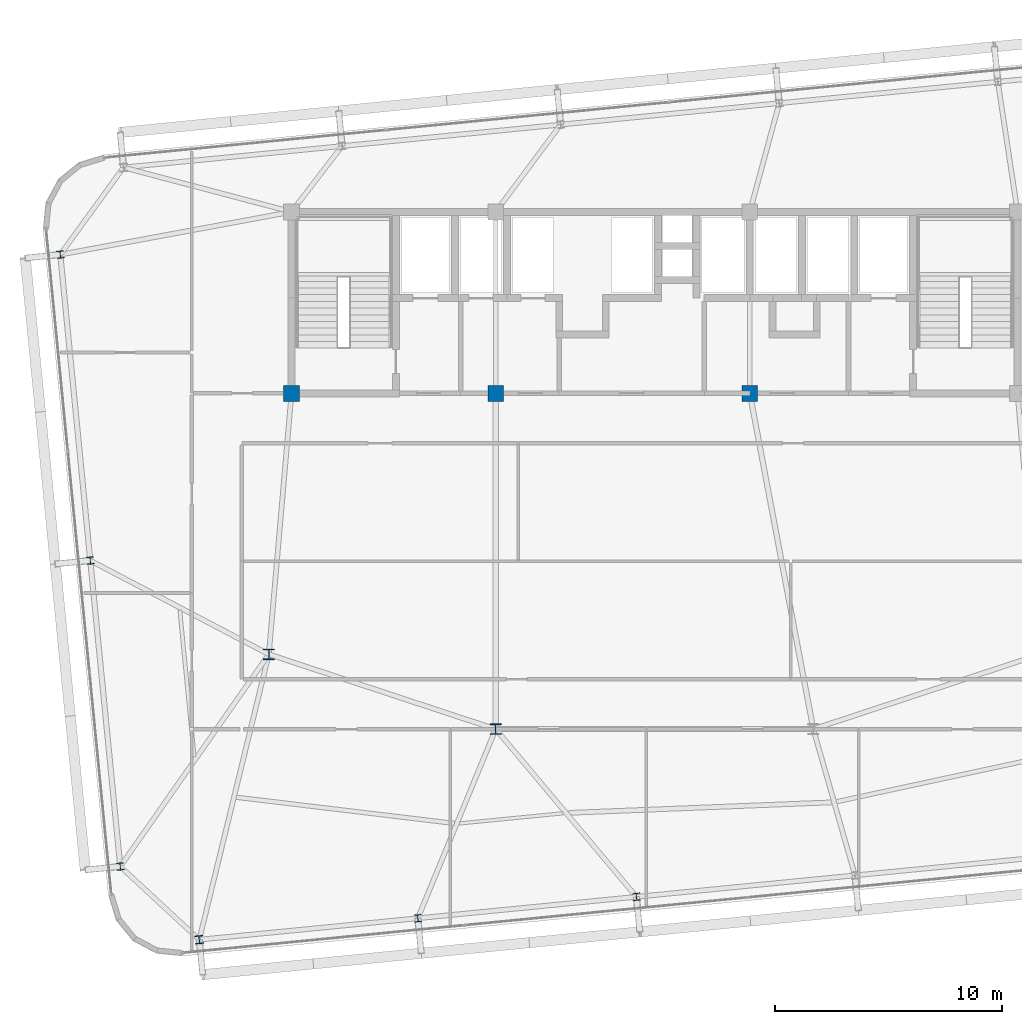
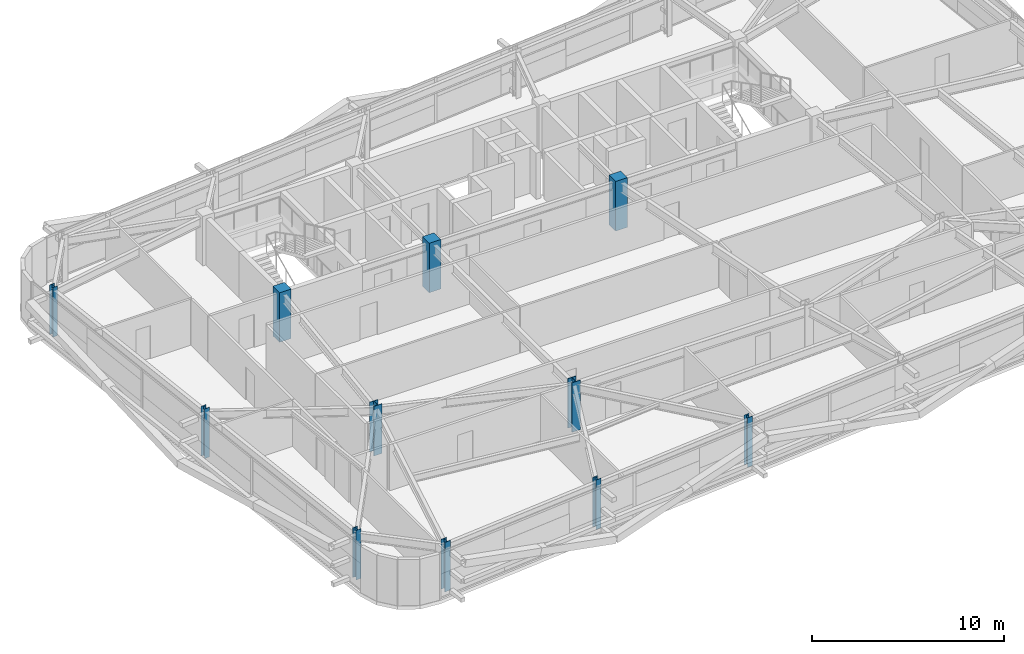
# One storey, part 1 of 47: 11 columns.
"""IFC4 building model written with IfcOpenShell, lengths in metres."""

import ifcopenshell
import ifcopenshell.guid

model = None  # the IFC model being written
_history = None  # IfcOwnerHistory: only IFC2X3 demands one
_inside = {}  # id of a spatial element -> (the spatial element, [elements in it])
_under = {}  # id of a project, library or spatial element -> (it, [spatial elements below it])
_declared = {}  # id of a project -> (the project, [libraries it declares])
_typed = {}  # id of a type object -> (the type object, [elements of that type])
_made_of = {}  # id of a material, layer set ... -> (it, [elements and type objects made of it])


def new_model(schema):
    """Start an empty IFC model of exactly this schema.

    Asked for "IFC4X3", IfcOpenShell would pick the latest addendum, in which some entities
    have other attributes; the version numbers below select the first issue.
    IFC2X3 requires an IfcOwnerHistory on every rooted entity: one is made here for all.
    """
    global model, _history
    if schema == "IFC4X3":
        model = ifcopenshell.file(schema_version=(4, 3, 0, 0))
    else:
        model = ifcopenshell.file(schema=schema)
    _inside.clear()
    _under.clear()
    _declared.clear()
    _typed.clear()
    _made_of.clear()
    _history = None
    if model.schema == "IFC2X3":
        org = make("IfcOrganization", Name="unknown")
        user = make(
            "IfcPersonAndOrganization",
            ThePerson=make("IfcPerson", FamilyName="unknown"),
            TheOrganization=org,
        )
        app = make(
            "IfcApplication",
            ApplicationDeveloper=org,
            Version="unknown",
            ApplicationFullName="unknown",
            ApplicationIdentifier="unknown",
        )
        _history = make(
            "IfcOwnerHistory",
            OwningUser=user,
            OwningApplication=app,
            ChangeAction="ADDED",
            CreationDate=0,
        )
    return model


def make(cls, **values):
    """One entity of the class cls with the attributes given. An attribute that is None is left unset."""
    return model.create_entity(
        cls, **{name: value for name, value in values.items() if value is not None}
    )


def rooted(cls, **values):
    """An entity with a GlobalId (a new one), such as an element, a storey or a relation."""
    return make(cls, GlobalId=ifcopenshell.guid.new(), OwnerHistory=_history, **values)


def si_unit(unit_type, name, prefix=None):
    """IfcSIUnit, for example si_unit("LENGTHUNIT", "METRE", prefix="MILLI")."""
    return make("IfcSIUnit", UnitType=unit_type, Prefix=prefix, Name=name)


def assignment(units):
    """IfcUnitAssignment: the units of a project."""
    return None if units is None else make("IfcUnitAssignment", Units=units)


def point(xyz):
    """IfcCartesianPoint."""
    return None if xyz is None else make("IfcCartesianPoint", Coordinates=xyz)


def direction(xyz):
    """IfcDirection."""
    return None if xyz is None else make("IfcDirection", DirectionRatios=xyz)


def frame(location, z_axis=None, x_axis=None):
    """IfcAxis2Placement3D, a coordinate frame: its origin and axes. An axis left out is left unset."""
    return make(
        "IfcAxis2Placement3D",
        Location=point(location),
        Axis=direction(z_axis),
        RefDirection=direction(x_axis),
    )


def frame_2d(location, x_axis=None):
    """IfcAxis2Placement2D, a coordinate frame in the plane: its origin and x axis."""
    return make(
        "IfcAxis2Placement2D", Location=point(location), RefDirection=direction(x_axis)
    )


def origin():
    """The frame at (0, 0, 0) with its axes left unset."""
    return frame((0.0, 0.0, 0.0))


def origin_2d():
    """The frame at (0, 0) in the plane with its x axis left unset."""
    return frame_2d((0.0, 0.0))


def place(relative_to, where):
    """IfcLocalPlacement: puts the frame where relative to a parent placement (None: the world)."""
    return make(
        "IfcLocalPlacement", PlacementRelTo=relative_to, RelativePlacement=where
    )


def context(
    kind, dimensions, precision=None, world=None, true_north=None, identifier=None
):
    """IfcGeometricRepresentationContext, for example the 3D "Model" context."""
    return make(
        "IfcGeometricRepresentationContext",
        ContextIdentifier=identifier,
        ContextType=kind,
        CoordinateSpaceDimension=dimensions,
        Precision=precision,
        WorldCoordinateSystem=world,
        TrueNorth=true_north,
    )


def subcontext(parent, identifier, kind, view, scale=None):
    """IfcGeometricRepresentationSubContext, for example "Body" below "Model"."""
    return make(
        "IfcGeometricRepresentationSubContext",
        ContextIdentifier=identifier,
        ContextType=kind,
        ParentContext=parent,
        TargetScale=scale,
        TargetView=view,
    )


def project(units=None, contexts=None):
    """IfcProject with its units and contexts."""
    return rooted(
        "IfcProject",
        Name="project",
        RepresentationContexts=contexts,
        UnitsInContext=assignment(units),
    )


def spatial(cls, under=None, at=None, **own):
    """A site, building, storey or space (cls), placed at a placement, below another one or the project."""
    s = rooted(cls, ObjectPlacement=at, **own)
    if under is not None:
        _under.setdefault(under.id(), (under, []))[1].append(s)
    return s


def profile(cls, at=None, kind="AREA", **sizes):
    """A parametric profile (cls). Its sizes go by their IFC names, for example OverallWidth=200.0."""
    return make(cls, ProfileType=kind, Position=at, **sizes)


def rectangle(**sizes):
    """IfcRectangleProfileDef."""
    return profile("IfcRectangleProfileDef", **sizes)


def i_section(**sizes):
    """IfcIShapeProfileDef."""
    return profile("IfcIShapeProfileDef", **sizes)


def extrude(swept, where, along, depth):
    """IfcExtrudedAreaSolid: the profile swept, set in the frame where, extruded along a direction by depth."""
    return make(
        "IfcExtrudedAreaSolid",
        SweptArea=swept,
        Position=where,
        ExtrudedDirection=direction(along),
        Depth=depth,
    )


def shape(context_of_items, identifier, shape_type, items):
    """IfcShapeRepresentation: the items that make up one representation, for example the "Body"."""
    return make(
        "IfcShapeRepresentation",
        ContextOfItems=context_of_items,
        RepresentationIdentifier=identifier,
        RepresentationType=shape_type,
        Items=items,
    )


def source(mapping_origin, context_of_items, identifier, shape_type, items):
    """IfcRepresentationMap: a shape defined once, which mapped items show again and again."""
    return make(
        "IfcRepresentationMap",
        MappingOrigin=mapping_origin,
        MappedRepresentation=shape(context_of_items, identifier, shape_type, items),
    )


def transform(
    local_origin,
    x_axis=None,
    y_axis=None,
    z_axis=None,
    scale=None,
    scale2=None,
    scale3=None,
    uniform=True,
):
    """IfcCartesianTransformationOperator3D, or its non-uniform kind. x_axis, y_axis, z_axis: its Axis1, 2, 3."""
    if uniform:
        return make(
            "IfcCartesianTransformationOperator3D",
            Axis1=direction(x_axis),
            Axis2=direction(y_axis),
            LocalOrigin=point(local_origin),
            Scale=scale,
            Axis3=direction(z_axis),
        )
    return make(
        "IfcCartesianTransformationOperator3DnonUniform",
        Axis1=direction(x_axis),
        Axis2=direction(y_axis),
        LocalOrigin=point(local_origin),
        Scale=scale,
        Axis3=direction(z_axis),
        Scale2=scale2,
        Scale3=scale3,
    )


def mapped(mapping_source, mapping_target):
    """IfcMappedItem: shows the shape of a source again, moved by a transform."""
    return make(
        "IfcMappedItem", MappingSource=mapping_source, MappingTarget=mapping_target
    )


def material(Name=None, Category=None):
    """IfcMaterial."""
    return make("IfcMaterial", Name=Name, Category=Category)


def material_profile(
    of_material, cross_section, Name=None, Category=None, Priority=None
):
    """IfcMaterialProfile: a cross section and its material."""
    return make(
        "IfcMaterialProfile",
        Name=Name,
        Material=of_material,
        Profile=cross_section,
        Priority=Priority,
        Category=Category,
    )


def profile_set(profiles, Name=None, composite=None):
    """IfcMaterialProfileSet."""
    return make(
        "IfcMaterialProfileSet",
        Name=Name,
        MaterialProfiles=profiles,
        CompositeProfile=composite,
    )


def made_of(thing, what):
    """Note that an element or type object is made of a material, layer set ...; save() writes the relation."""
    if what is not None:
        _made_of.setdefault(what.id(), (what, []))[1].append(thing)
    return thing


def type_object(cls, material=None, **own):
    """A type object (cls), such as IfcWallType, which elements share."""
    return made_of(rooted(cls, **own), material)


def element(
    cls,
    number,
    at=None,
    inside=None,
    cuts=None,
    type_object=None,
    material=None,
    context=None,
    identifier="Body",
    shape_type=None,
    held_by="IfcProductDefinitionShape",
    body=None,
    shapes=None,
    **own,
):
    """One element of the class cls, such as IfcWall. Its Tag is "e" and its number.

    at: its placement. inside: the storey or other place that contains it. cuts: it is an
    opening in that element (IfcRelVoidsElement). A single representation is given by context,
    identifier, shape_type and body (its items); several are given by shapes. held_by: the class
    of the entity that holds the representations. save() writes the other relations.
    """
    e = rooted(cls, Tag="e%d" % number, ObjectPlacement=at, **own)
    if body is not None:
        shapes = [shape(context, identifier, shape_type, body)]
    if shapes is not None:
        e.Representation = make(held_by, Representations=shapes)
    if inside is not None:
        _inside.setdefault(inside.id(), (inside, []))[1].append(e)
    if cuts is not None:
        rooted(
            "IfcRelVoidsElement", RelatingBuildingElement=cuts, RelatedOpeningElement=e
        )
    if type_object is not None:
        _typed.setdefault(type_object.id(), (type_object, []))[1].append(e)
    return made_of(e, material)


def aggregate(whole, parts):
    """IfcRelAggregates: a whole, such as a stair, and the parts it consists of."""
    return rooted("IfcRelAggregates", RelatingObject=whole, RelatedObjects=parts)


def save(model, path):
    """Write the relations noted so far, then the file.

    IfcRelAggregates (storeys below a building ...), IfcRelContainedInSpatialStructure (elements
    in a storey), IfcRelDefinesByType, IfcRelAssociatesMaterial and IfcRelDeclares: one each for
    every whole, place, type object, material and project.
    """
    for whole, parts in _under.values():
        aggregate(whole, parts)
    for where, things in _inside.values():
        rooted(
            "IfcRelContainedInSpatialStructure",
            RelatedElements=things,
            RelatingStructure=where,
        )
    for kind, things in _typed.values():
        rooted("IfcRelDefinesByType", RelatedObjects=things, RelatingType=kind)
    for what, things in _made_of.values():
        rooted("IfcRelAssociatesMaterial", RelatedObjects=things, RelatingMaterial=what)
    for by, libraries in _declared.values():
        rooted("IfcRelDeclares", RelatingContext=by, RelatedDefinitions=libraries)
    model.write(path)


model = new_model("IFC4")

# Units and contexts
model_context = context("Model", 3, precision=1e-05, world=origin(), true_north=direction((0.0, 1.0)))
body_context = subcontext(model_context, "Body", "Model", "MODEL_VIEW")
ifc_project = project(units=[si_unit("LENGTHUNIT", "METRE"), si_unit("AREAUNIT", "SQUARE_METRE"), si_unit("VOLUMEUNIT", "CUBIC_METRE"), si_unit("PLANEANGLEUNIT", "RADIAN"), si_unit("MASSUNIT", "GRAM", prefix="KILO")], contexts=[model_context])

# Site, building, storey
site_placement = place(None, origin())
site = spatial("IfcSite", under=ifc_project, at=site_placement, CompositionType="ELEMENT")
building_placement = place(site_placement, origin())
building = spatial("IfcBuilding", under=site, at=building_placement, Name="Taldren Reach Tower", CompositionType="ELEMENT")
storey_placement = place(building_placement, frame((0.0, 0.0, 90.300048828125)))
storey = spatial("IfcBuildingStorey", under=building, at=storey_placement, Name="L27", CompositionType="ELEMENT", Elevation=90.300048828125)

# Columns
ifc_material_1 = material(Name="Steel Gr 350 (350PLUS)", Category="steel")
ifc_material_profile_1 = material_profile(ifc_material_1, i_section(OverallWidth=0.5, OverallDepth=0.464111328125, WebThickness=0.02197265625, FlangeThickness=0.033935546875, at=origin_2d()), Name="500WC340")
ifc_profile_set_1 = profile_set([ifc_material_profile_1], Name="Steel Gr 350 (350PLUS)")
column_type_1 = type_object("IfcColumnType", Name="COL-WC500B", PredefinedType="COLUMN", material=ifc_profile_set_1)
shared_shape_1 = source(origin(), body_context, "Body", "SweptSolid", [
    extrude(i_section(OverallWidth=0.5, OverallDepth=0.464111328125, WebThickness=0.02197265625, FlangeThickness=0.033935546875, at=origin_2d()), origin(), (0.0, 0.0, 1.0), 3.14990234375),
])
for number, where, z_axis, x_axis, name in (
    (1, (28.0, 9.199951171875, 0.0), (0.0, 0.0, 1.0), (1.0, 0.0, 0.0), "Mega column MC-PJW L27"),
    (2, (18.0, 12.5, 0.0), (0.0, 0.0, 1.0), (1.0, 0.0, 0.0), "Mega column MC-SW L27"),
):
    element("IfcColumn", number, at=place(storey_placement, frame(where, z_axis=z_axis, x_axis=x_axis)), inside=storey, type_object=column_type_1, Name=name, PredefinedType="COLUMN", context=body_context, shape_type="MappedRepresentation", body=[
        mapped(shared_shape_1, transform((0.0, 0.0, 0.0), scale=1.0)),
    ])
ifc_material_2 = material(Name="Concrete S65 (65 MPa)", Category="concrete")
ifc_material_profile_2 = material_profile(ifc_material_2, rectangle(XDim=0.699951171875, YDim=0.699951171875, at=origin_2d()), Name="RC-700x700")
ifc_profile_set_2 = profile_set([ifc_material_profile_2], Name="Concrete S65 (65 MPa)")
column_type_2 = type_object("IfcColumnType", Name="COL-RC700", PredefinedType="COLUMN", material=ifc_profile_set_2)
shared_shape_2 = source(origin(), body_context, "Body", "SweptSolid", [
    extrude(rectangle(XDim=0.699951171875, YDim=0.699951171875, at=origin_2d()), origin(), (0.0, 0.0, 1.0), 3.14990234375),
])
for number, where, z_axis, x_axis, name in (
    (3, (19.0, 24.0, 0.0), (0.0, 0.0, 1.0), (1.0, 0.0, 0.0), "Mega column MC-C1 L27"),
    (4, (28.0, 24.0, 0.0), (0.0, 0.0, 1.0), (1.0, 0.0, 0.0), "Mega column MC-C2 L27"),
    (5, (39.199951171875, 24.0, 0.0), (0.0, 0.0, 1.0), (1.0, 0.0, 0.0), "Mega column MC-C3 L27"),
):
    element("IfcColumn", number, at=place(storey_placement, frame(where, z_axis=z_axis, x_axis=x_axis)), inside=storey, type_object=column_type_2, Name=name, PredefinedType="COLUMN", context=body_context, shape_type="MappedRepresentation", body=[
        mapped(shared_shape_2, transform((0.0, 0.0, 0.0), scale=1.0)),
    ])
ifc_material_profile_3 = material_profile(ifc_material_1, i_section(OverallWidth=0.35009765625, OverallDepth=0.35595703125, WebThickness=0.01806640625, FlangeThickness=0.028076171875, at=origin_2d()), Name="350WC197")
ifc_profile_set_3 = profile_set([ifc_material_profile_3], Name="Steel Gr 350 (350PLUS)")
column_type_3 = type_object("IfcColumnType", Name="COL-WC350", PredefinedType="COLUMN", material=ifc_profile_set_3)
shared_shape_3 = source(origin(), body_context, "Body", "SweptSolid", [
    extrude(i_section(OverallWidth=0.35009765625, OverallDepth=0.35595703125, WebThickness=0.01806640625, FlangeThickness=0.028076171875, at=origin_2d()), origin(), (0.0, 0.0, 1.0), 3.14990234375),
])
column_placement = place(storey_placement, frame((14.93408203125, -0.079833984375, 0.0), z_axis=(0.0, 0.0, 1.0), x_axis=(0.995227399982, 0.097582899759, 0.0)))
element("IfcColumn", 6, at=column_placement, inside=storey, type_object=column_type_3, Name="Block B2 perimeter column S1 L27", PredefinedType="COLUMN", context=body_context, shape_type="MappedRepresentation", body=[
    mapped(shared_shape_3, transform((0.0, 0.0, 0.0), scale=1.0)),
])
ifc_material_profile_4 = material_profile(ifc_material_1, i_section(OverallWidth=0.306884765625, OverallDepth=0.31494140625, WebThickness=0.011962890625, FlangeThickness=0.018798828125, at=origin_2d()), Name="310UC118")
ifc_profile_set_4 = profile_set([ifc_material_profile_4], Name="Steel Gr 350 (350PLUS)")
column_type_4 = type_object("IfcColumnType", Name="COL-UC310B", PredefinedType="COLUMN", material=ifc_profile_set_4)
shared_shape_4 = source(origin(), body_context, "Body", "SweptSolid", [
    extrude(i_section(OverallWidth=0.306884765625, OverallDepth=0.31494140625, WebThickness=0.011962890625, FlangeThickness=0.018798828125, at=origin_2d()), origin(), (0.0, 0.0, 1.0), 3.14990234375),
])
for number, where, z_axis, x_axis, name in (
    (7, (24.56787109375, 0.86474609375, 0.0), (0.0, 0.0, 1.0), (0.995227399982, 0.097582899759, 0.0), "Block B2 perimeter column S2 L27"),
    (8, (34.20166015625, 1.809326171875, 0.0), (0.0, 0.0, 1.0), (0.995227399982, 0.097582899759, 0.0), "Block B2 perimeter column S3 L27"),
    (9, (11.452880859375, 3.145751953125, 0.0), (0.0, 0.0, 1.0), (0.995227399982, 0.097582899759, 0.0), "Block B2 perimeter column W1 L27"),
    (10, (10.130615234375, 16.631103515625, 0.0), (0.0, 0.0, 1.0), (0.995227399982, 0.097582899759, 0.0), "Block B2 perimeter column W2 L27"),
    (11, (8.808349609375, 30.116455078125, 0.0), (0.0, 0.0, 1.0), (0.995227399982, 0.097582899759, 0.0), "Block B2 perimeter column W3 L27"),
):
    element("IfcColumn", number, at=place(storey_placement, frame(where, z_axis=z_axis, x_axis=x_axis)), inside=storey, type_object=column_type_4, Name=name, PredefinedType="COLUMN", context=body_context, shape_type="MappedRepresentation", body=[
        mapped(shared_shape_4, transform((0.0, 0.0, 0.0), scale=1.0)),
    ])

save(model, "model.ifc")
